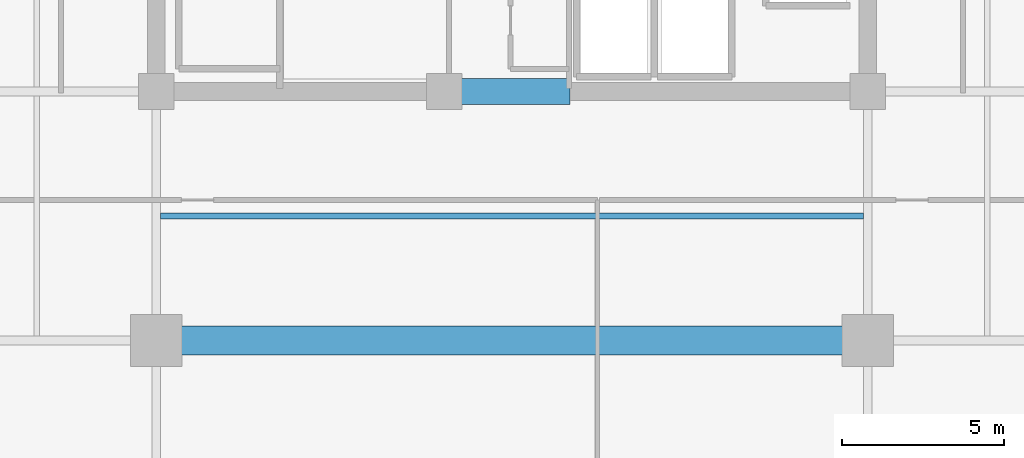
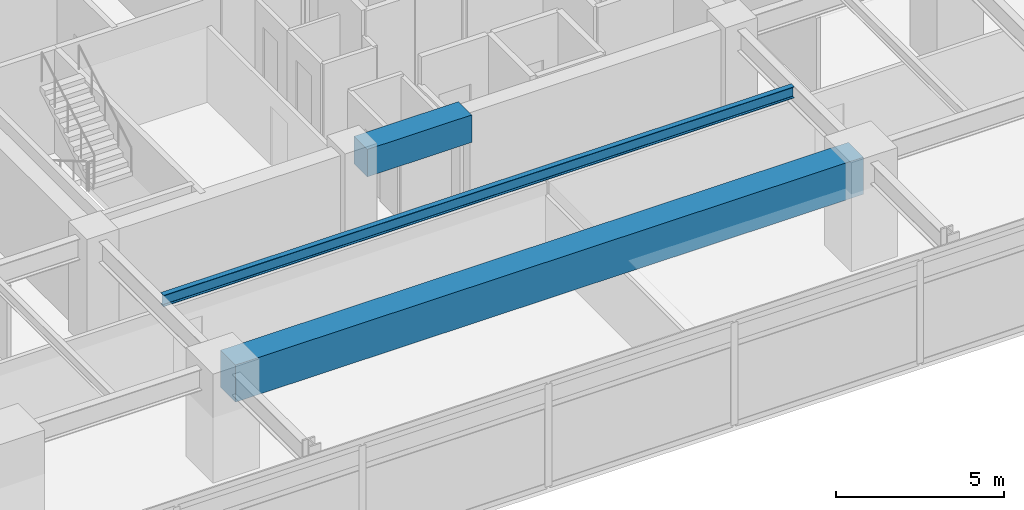
# One storey, part 5 of 20: 3 beams.
"""IFC4 building model written with IfcOpenShell, lengths in metres."""

from ifc_helpers import new_model, si_unit, direction, frame, origin, origin_2d, place, context, subcontext, project, spatial, rectangle, i_section, extrude, material, material_profile, profile_set, type_object, element, save


model = new_model("IFC4")

# Units and contexts
model_context = context("Model", 3, precision=1e-05, world=origin(), true_north=direction((0.0, 1.0)))
body_context = subcontext(model_context, "Body", "Model", "MODEL_VIEW")
ifc_project = project(units=[si_unit("LENGTHUNIT", "METRE"), si_unit("AREAUNIT", "SQUARE_METRE"), si_unit("VOLUMEUNIT", "CUBIC_METRE"), si_unit("PLANEANGLEUNIT", "RADIAN"), si_unit("MASSUNIT", "GRAM", prefix="KILO")], contexts=[model_context])

# Site, building, storey
site_placement = place(None, origin())
site = spatial("IfcSite", under=ifc_project, at=site_placement, CompositionType="ELEMENT")
building_placement = place(site_placement, origin())
building = spatial("IfcBuilding", under=site, at=building_placement, Name="Kovane Verandah Tower", CompositionType="ELEMENT")
storey_placement = place(building_placement, frame((0.0, 0.0, 128.39990234375)))
storey = spatial("IfcBuildingStorey", under=building, at=storey_placement, Name="L29", CompositionType="ELEMENT", Elevation=128.39990234375)

# Beams
ifc_material_1 = material(Name="Concrete C60/75", Category="concrete")
ifc_material_profile_1 = material_profile(ifc_material_1, rectangle(XDim=0.800048828125, YDim=1.0, at=origin_2d()), Name="RCB800x1000")
ifc_profile_set_1 = profile_set([ifc_material_profile_1], Name="Concrete C60/75")
beam_type_1 = type_object("IfcBeamType", Name="BM-LINTEL-800x1000", PredefinedType="LINTEL", material=ifc_profile_set_1)
beam_1_placement = place(storey_placement, frame((38.199951171875, 18.5, 3.275146484375), z_axis=(1.0, 0.0, 0.0), x_axis=(0.0, 1.0, 0.0)))
element("IfcBeam", 1, at=beam_1_placement, inside=storey, type_object=beam_type_1, Name="L29 Core Coupling Lintel CL-S", PredefinedType="LINTEL", context=body_context, shape_type="SweptSolid", body=[
    extrude(rectangle(XDim=0.800048828125, YDim=1.0, at=origin_2d()), origin(), (0.0, 0.0, 1.0), 3.60009765625),
])
ifc_material_2 = material(Name="Concrete C80/95", Category="concrete")
ifc_material_profile_2 = material_profile(ifc_material_2, rectangle(XDim=0.89990234375, YDim=1.35009765625, at=origin_2d()), Name="RCB900x1350")
ifc_profile_set_2 = profile_set([ifc_material_profile_2], Name="Concrete C80/95")
beam_type_2 = type_object("IfcBeamType", Name="BM-TR-900x1350", PredefinedType="BEAM", material=ifc_profile_set_2)
beam_2_placement = place(storey_placement, frame((29.179931640625, 10.800048828125, 3.10009765625), z_axis=(1.0, 0.0, 0.0), x_axis=(0.0, 1.0, 0.0)))
element("IfcBeam", 2, at=beam_2_placement, inside=storey, type_object=beam_type_2, Name="L29 Primary Tower Girder G-RS2", PredefinedType="BEAM", context=body_context, shape_type="SweptSolid", body=[
    extrude(rectangle(XDim=0.89990234375, YDim=1.35009765625, at=origin_2d()), origin(), (0.0, 0.0, 1.0), 21.64013671875),
])
ifc_material_3 = material(Name="Steel S355", Category="steel")
ifc_material_profile_3 = material_profile(ifc_material_3, i_section(OverallWidth=0.179443359375, OverallDepth=0.412841796875, WebThickness=0.009521484375, FlangeThickness=0.01611328125, FilletRadius=0.01025390625, at=origin_2d()), Name="UB406x178x74")
ifc_profile_set_3 = profile_set([ifc_material_profile_3], Name="Steel S355")
beam_type_3 = type_object("IfcBeamType", Name="JST-UB406x74", PredefinedType="JOIST", material=ifc_profile_set_3)
beam_3_placement = place(storey_placement, frame((29.132080078125, 14.64990234375, 3.568603515625), z_axis=(1.0, 0.0, 0.0), x_axis=(0.0, 1.0, 0.0)))
element("IfcBeam", 3, at=beam_3_placement, inside=storey, type_object=beam_type_3, Name="L29 Secondary Composite Joist J-S1", PredefinedType="JOIST", context=body_context, shape_type="SweptSolid", body=[
    extrude(i_section(OverallWidth=0.179443359375, OverallDepth=0.412841796875, WebThickness=0.009521484375, FlangeThickness=0.01611328125, FilletRadius=0.01025390625, at=origin_2d()), origin(), (0.0, 0.0, 1.0), 21.73583984375),
])

save(model, "model.ifc")
